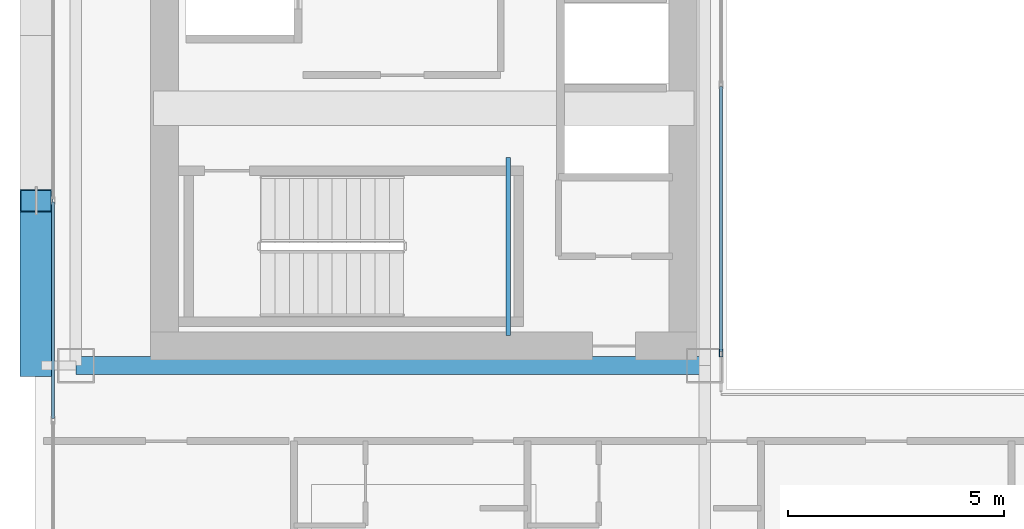
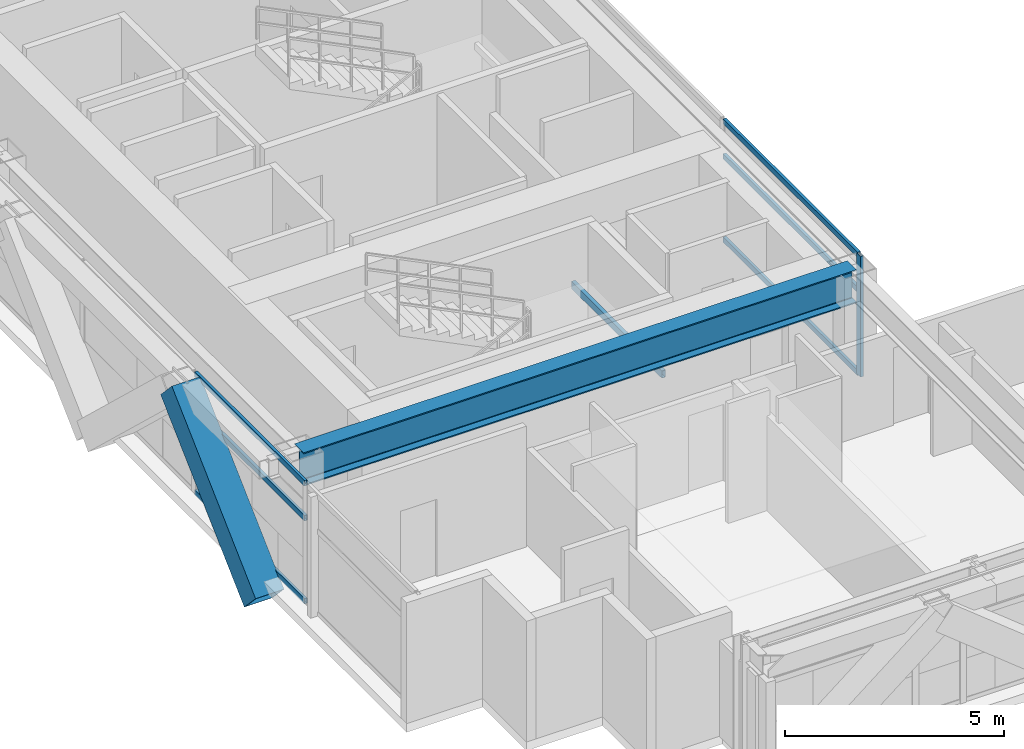
# One storey, part 4 of 39: 8 members, 2 beams, 2 elements without a shape of their own.
"""IFC4 building model written with IfcOpenShell, lengths in metres."""

from ifc_helpers import new_model, si_unit, direction, frame, origin, origin_2d, place, context, subcontext, project, spatial, hollow_rectangle, i_section, extrude, source, transform, mapped, material, layer, layer_set, material_profile, profile_set, type_object, element, aggregate, save


model = new_model("IFC4")

# Units and contexts
model_context = context("Model", 3, precision=1e-05, world=origin(), true_north=direction((0.0, 1.0)))
body_context = subcontext(model_context, "Body", "Model", "MODEL_VIEW")
ifc_project = project(units=[si_unit("LENGTHUNIT", "METRE"), si_unit("AREAUNIT", "SQUARE_METRE"), si_unit("VOLUMEUNIT", "CUBIC_METRE"), si_unit("PLANEANGLEUNIT", "RADIAN"), si_unit("MASSUNIT", "GRAM", prefix="KILO")], contexts=[model_context])

# Site, building, storey
site_placement = place(None, origin())
site = spatial("IfcSite", under=ifc_project, at=site_placement, CompositionType="ELEMENT")
building_placement = place(site_placement, origin())
building = spatial("IfcBuilding", under=site, at=building_placement, Name="Ocotamira Hotel", CompositionType="ELEMENT")
storey_placement = place(building_placement, frame((0.0, 0.0, 126.0)))
storey = spatial("IfcBuildingStorey", under=building, at=storey_placement, Name="L31", CompositionType="ELEMENT", Elevation=126.0)

# Beams
ifc_material_1 = material(Name="Steel ASTM A500 Grade C", Category="steel")
ifc_material_profile_1 = material_profile(ifc_material_1, hollow_rectangle(XDim=0.10009765625, YDim=0.199951171875, WallThickness=0.008056640625, at=origin_2d()), Name="HSS200X100X8")
ifc_profile_set_1 = profile_set([ifc_material_profile_1], Name="Steel ASTM A500 Grade C")
beam_type_1 = type_object("IfcBeamType", Name="BM-STLDG-HSS200", PredefinedType="BEAM", material=ifc_profile_set_1)
shared_shape_1 = source(origin(), body_context, "Body", "SweptSolid", [
    extrude(hollow_rectangle(XDim=0.10009765625, YDim=0.199951171875, WallThickness=0.008056640625, at=origin_2d()), origin(), (0.0, 0.0, 1.0), 4.1201171875),
])
beam_1_placement = place(storey_placement, frame((18.949951171875, 15.25, 1.5), z_axis=(0.0, 1.0, 0.0), x_axis=(-1.0, 0.0, 0.0)))
element("IfcBeam", 1, at=beam_1_placement, inside=storey, type_object=beam_type_1, Name="L31 Stair ST-1 Landing Bearer 1", PredefinedType="BEAM", context=body_context, shape_type="MappedRepresentation", body=[
    mapped(shared_shape_1, transform((0.0, 0.0, 0.0), scale=1.0)),
])
ifc_material_2 = material(Name="Steel ASTM A992 Grade 50", Category="steel")
ifc_material_profile_2 = material_profile(ifc_material_2, i_section(OverallWidth=0.41796875, OverallDepth=0.927001953125, WebThickness=0.019287109375, FlangeThickness=0.031982421875, FilletRadius=0.02392578125, at=origin_2d()), Name="W36X231")
ifc_profile_set_2 = profile_set([ifc_material_profile_2], Name="Steel ASTM A992 Grade 50")
beam_type_2 = type_object("IfcBeamType", Name="BM-GIRD-W36X231", PredefinedType="BEAM", material=ifc_profile_set_2)
shared_shape_2 = source(origin(), body_context, "Body", "SweptSolid", [
    extrude(i_section(OverallWidth=0.41796875, OverallDepth=0.927001953125, WebThickness=0.019287109375, FlangeThickness=0.031982421875, FilletRadius=0.02392578125, at=origin_2d()), origin(), (0.0, 0.0, 1.0), 14.550048828125),
])
beam_2_placement = place(storey_placement, frame((8.949951171875, 14.550048828125, 2.896484375), z_axis=(1.0, 0.0, 0.0), x_axis=(0.0, 1.0, 0.0)))
element("IfcBeam", 2, at=beam_2_placement, inside=storey, type_object=beam_type_2, Name="L31 Girder Y14.55 X8.95-23.5", PredefinedType="BEAM", context=body_context, shape_type="MappedRepresentation", body=[
    mapped(shared_shape_2, transform((0.0, 0.0, 0.0), scale=1.0)),
])

# Member
ifc_material_3 = material(Name="Pale-metal coated steel ASTM A913 Grade 65", Category="steel")
ifc_material_profile_3 = material_profile(ifc_material_3, hollow_rectangle(XDim=0.75, YDim=0.75, WallThickness=0.028076171875, at=origin_2d()), Name="BOX750X750X28")
ifc_profile_set_3 = profile_set([ifc_material_profile_3], Name="Pale-metal coated steel ASTM A913 Grade 65")
member_type_1 = type_object("IfcMemberType", Name="MEM-EXO-BOX750", PredefinedType="BRACE", material=ifc_profile_set_3)
shared_shape_3 = source(origin(), body_context, "Body", "SweptSolid", [
    extrude(hollow_rectangle(XDim=0.75, YDim=0.75, WallThickness=0.028076171875, at=origin_2d()), origin(), (0.0, 0.0, 1.0), 5.24658203125),
])
member_1_placement = place(storey_placement, frame((8.030029296875, 14.550048828125, -0.489990234375), z_axis=(0.0, 0.727442733726, 0.686168397078), x_axis=(-1.0, 0.0, 0.0)))
element("IfcMember", 3, at=member_1_placement, inside=storey, type_object=member_type_1, Name="L31 Exoskeleton Diagrid W0.1", PredefinedType="BRACE", context=body_context, shape_type="MappedRepresentation", body=[
    mapped(shared_shape_3, transform((0.0, 0.0, 0.0), scale=1.0)),
])

# Curtain wall, members
ifc_material_4 = material(Name="Anodised pale-metal aluminium and solar glass", Category="aluminium")
ifc_layer_1 = layer(ifc_material_4, 0.179931640625)
ifc_layer_set_1 = layer_set([ifc_layer_1], Name="Anodised pale-metal aluminium and solar glass")
curtain_wall_type_1 = type_object("IfcCurtainWallType", Name="CW-SYS3-Z2", PredefinedType="NOTDEFINED", material=ifc_layer_set_1)
curtain_wall_1_placement = place(storey_placement, origin())
curtain_wall_1 = element("IfcCurtainWall", 4, at=curtain_wall_1_placement, inside=storey, type_object=curtain_wall_type_1, Name="L31 Curtain Wall CW-3 CW-L31-W", PredefinedType="NOTDEFINED")
ifc_material_5 = material(Name="Anodised pale-metal aluminium 6063-T6", Category="aluminium")
ifc_material_profile_4 = material_profile(ifc_material_5, hollow_rectangle(XDim=0.074951171875, YDim=0.14990234375, WallThickness=0.006103515625, at=origin_2d()), Name="HSS150X75X6")
ifc_profile_set_4 = profile_set([ifc_material_profile_4], Name="Anodised pale-metal aluminium 6063-T6")
member_type_2 = type_object("IfcMemberType", Name="CWT-150X75", PredefinedType="USERDEFINED", material=ifc_profile_set_4)
shared_shape_4 = source(origin(), body_context, "Body", "SweptSolid", [
    extrude(hollow_rectangle(XDim=0.074951171875, YDim=0.14990234375, WallThickness=0.006103515625, at=origin_2d()), origin(), (0.0, 0.0, 1.0), 5.005859375),
])
member_2_placement = place(storey_placement, frame((8.419921875, 13.32568359375, 0.03759765625), z_axis=(0.0, 1.0, 0.0), x_axis=(-1.0, 0.0, 0.0)))
member_2 = element("IfcMember", 5, at=member_2_placement, type_object=member_type_2, Name="CW-3 transom 2.1", ObjectType="TRANSOM", PredefinedType="USERDEFINED", context=body_context, shape_type="MappedRepresentation", body=[
    mapped(shared_shape_4, transform((0.0, 0.0, 0.0), scale=1.0)),
])
member_3_placement = place(storey_placement, frame((8.419921875, 13.32568359375, 2.35009765625), z_axis=(0.0, 1.0, 0.0), x_axis=(-1.0, 0.0, 0.0)))
member_3 = element("IfcMember", 6, at=member_3_placement, type_object=member_type_2, Name="CW-3 transom 2.2", ObjectType="TRANSOM", PredefinedType="USERDEFINED", context=body_context, shape_type="MappedRepresentation", body=[
    mapped(shared_shape_4, transform((0.0, 0.0, 0.0), scale=1.0)),
])
member_4_placement = place(storey_placement, frame((8.419921875, 13.32568359375, 3.322509765625), z_axis=(0.0, 1.0, 0.0), x_axis=(-1.0, 0.0, 0.0)))
member_4 = element("IfcMember", 7, at=member_4_placement, type_object=member_type_2, Name="CW-3 transom 2.3", ObjectType="TRANSOM", PredefinedType="USERDEFINED", context=body_context, shape_type="MappedRepresentation", body=[
    mapped(shared_shape_4, transform((0.0, 0.0, 0.0), scale=1.0)),
])
aggregate(curtain_wall_1, [member_2, member_3, member_4])

ifc_layer_2 = layer(ifc_material_4, 0.159912109375)
ifc_layer_set_2 = layer_set([ifc_layer_2], Name="Anodised pale-metal aluminium and solar glass")
curtain_wall_type_2 = type_object("IfcCurtainWallType", Name="CW-SYS6-ATR", PredefinedType="NOTDEFINED", material=ifc_layer_set_2)
curtain_wall_2_placement = place(storey_placement, origin())
curtain_wall_2 = element("IfcCurtainWall", 8, at=curtain_wall_2_placement, inside=storey, type_object=curtain_wall_type_2, Name="L31 Curtain Wall CW-6 CW-L31-ATRW1", PredefinedType="NOTDEFINED")
shared_shape_5 = source(origin(), body_context, "Body", "SweptSolid", [
    extrude(hollow_rectangle(XDim=0.074951171875, YDim=0.14990234375, WallThickness=0.006103515625, at=origin_2d()), origin(), (0.0, 0.0, 1.0), 6.130126953125),
])
member_5_placement = place(storey_placement, frame((23.8798828125, 14.8798828125, 0.03759765625), z_axis=(0.0, 1.0, 0.0), x_axis=(-1.0, 0.0, 0.0)))
member_5 = element("IfcMember", 9, at=member_5_placement, type_object=member_type_2, Name="CW-6 transom 1.1", ObjectType="TRANSOM", PredefinedType="USERDEFINED", context=body_context, shape_type="MappedRepresentation", body=[
    mapped(shared_shape_5, transform((0.0, 0.0, 0.0), scale=1.0)),
])
member_6_placement = place(storey_placement, frame((23.8798828125, 14.8798828125, 2.35009765625), z_axis=(0.0, 1.0, 0.0), x_axis=(-1.0, 0.0, 0.0)))
member_6 = element("IfcMember", 10, at=member_6_placement, type_object=member_type_2, Name="CW-6 transom 1.2", ObjectType="TRANSOM", PredefinedType="USERDEFINED", context=body_context, shape_type="MappedRepresentation", body=[
    mapped(shared_shape_5, transform((0.0, 0.0, 0.0), scale=1.0)),
])
member_7_placement = place(storey_placement, frame((23.8798828125, 14.8798828125, 3.322509765625), z_axis=(0.0, 1.0, 0.0), x_axis=(-1.0, 0.0, 0.0)))
member_7 = element("IfcMember", 11, at=member_7_placement, type_object=member_type_2, Name="CW-6 transom 1.3", ObjectType="TRANSOM", PredefinedType="USERDEFINED", context=body_context, shape_type="MappedRepresentation", body=[
    mapped(shared_shape_5, transform((0.0, 0.0, 0.0), scale=1.0)),
])
ifc_material_profile_5 = material_profile(ifc_material_5, hollow_rectangle(XDim=0.080078125, YDim=0.179931640625, WallThickness=0.006103515625, at=origin_2d()), Name="HSS180X80X6")
ifc_profile_set_5 = profile_set([ifc_material_profile_5], Name="Anodised pale-metal aluminium 6063-T6")
member_type_3 = type_object("IfcMemberType", Name="CWM-180X75", PredefinedType="MULLION", material=ifc_profile_set_5)
shared_shape_6 = source(origin(), body_context, "Body", "SweptSolid", [
    extrude(hollow_rectangle(XDim=0.080078125, YDim=0.179931640625, WallThickness=0.006103515625, at=origin_2d()), origin(), (0.0, 0.0, 1.0), 3.360107421875),
])
member_8_placement = place(storey_placement, frame((23.8798828125, 14.840087890625, 0.0), z_axis=(0.0, 0.0, 1.0), x_axis=(-1.0, 0.0, 0.0)))
member_8 = element("IfcMember", 12, at=member_8_placement, type_object=member_type_3, Name="CW-6 mullion 1", PredefinedType="MULLION", context=body_context, shape_type="MappedRepresentation", body=[
    mapped(shared_shape_6, transform((0.0, 0.0, 0.0), scale=1.0)),
])
aggregate(curtain_wall_2, [member_8, member_5, member_6, member_7])

save(model, "model.ifc")
